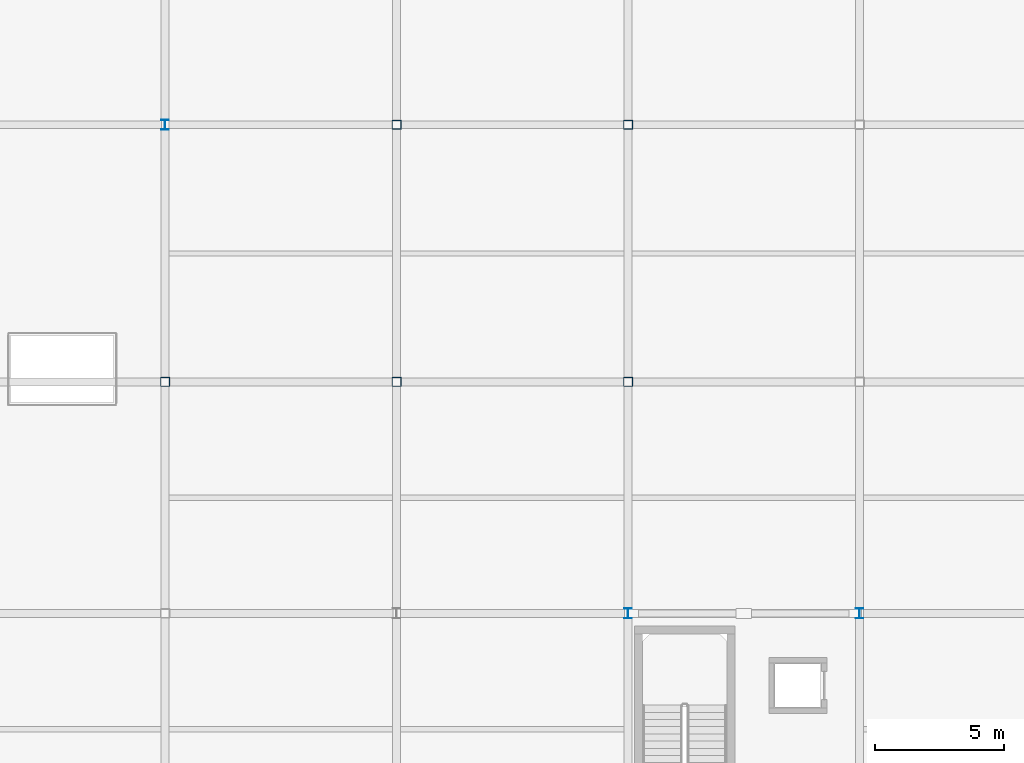
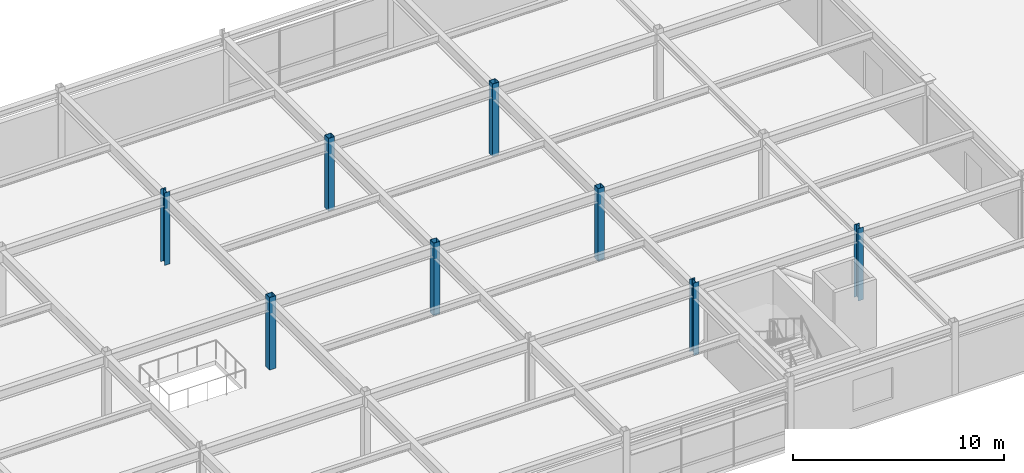
# One storey, part 8 of 53: 8 columns.
"""IFC4 building model written with IfcOpenShell, lengths in metres."""

import ifcopenshell
import ifcopenshell.guid

model = None  # the IFC model being written
_history = None  # IfcOwnerHistory: only IFC2X3 demands one
_inside = {}  # id of a spatial element -> (the spatial element, [elements in it])
_under = {}  # id of a project, library or spatial element -> (it, [spatial elements below it])
_declared = {}  # id of a project -> (the project, [libraries it declares])
_typed = {}  # id of a type object -> (the type object, [elements of that type])
_made_of = {}  # id of a material, layer set ... -> (it, [elements and type objects made of it])


def new_model(schema):
    """Start an empty IFC model of exactly this schema.

    Asked for "IFC4X3", IfcOpenShell would pick the latest addendum, in which some entities
    have other attributes; the version numbers below select the first issue.
    IFC2X3 requires an IfcOwnerHistory on every rooted entity: one is made here for all.
    """
    global model, _history
    if schema == "IFC4X3":
        model = ifcopenshell.file(schema_version=(4, 3, 0, 0))
    else:
        model = ifcopenshell.file(schema=schema)
    _inside.clear()
    _under.clear()
    _declared.clear()
    _typed.clear()
    _made_of.clear()
    _history = None
    if model.schema == "IFC2X3":
        org = make("IfcOrganization", Name="unknown")
        user = make(
            "IfcPersonAndOrganization",
            ThePerson=make("IfcPerson", FamilyName="unknown"),
            TheOrganization=org,
        )
        app = make(
            "IfcApplication",
            ApplicationDeveloper=org,
            Version="unknown",
            ApplicationFullName="unknown",
            ApplicationIdentifier="unknown",
        )
        _history = make(
            "IfcOwnerHistory",
            OwningUser=user,
            OwningApplication=app,
            ChangeAction="ADDED",
            CreationDate=0,
        )
    return model


def make(cls, **values):
    """One entity of the class cls with the attributes given. An attribute that is None is left unset."""
    return model.create_entity(
        cls, **{name: value for name, value in values.items() if value is not None}
    )


def rooted(cls, **values):
    """An entity with a GlobalId (a new one), such as an element, a storey or a relation."""
    return make(cls, GlobalId=ifcopenshell.guid.new(), OwnerHistory=_history, **values)


def si_unit(unit_type, name, prefix=None):
    """IfcSIUnit, for example si_unit("LENGTHUNIT", "METRE", prefix="MILLI")."""
    return make("IfcSIUnit", UnitType=unit_type, Prefix=prefix, Name=name)


def assignment(units):
    """IfcUnitAssignment: the units of a project."""
    return None if units is None else make("IfcUnitAssignment", Units=units)


def point(xyz):
    """IfcCartesianPoint."""
    return None if xyz is None else make("IfcCartesianPoint", Coordinates=xyz)


def direction(xyz):
    """IfcDirection."""
    return None if xyz is None else make("IfcDirection", DirectionRatios=xyz)


def frame(location, z_axis=None, x_axis=None):
    """IfcAxis2Placement3D, a coordinate frame: its origin and axes. An axis left out is left unset."""
    return make(
        "IfcAxis2Placement3D",
        Location=point(location),
        Axis=direction(z_axis),
        RefDirection=direction(x_axis),
    )


def frame_2d(location, x_axis=None):
    """IfcAxis2Placement2D, a coordinate frame in the plane: its origin and x axis."""
    return make(
        "IfcAxis2Placement2D", Location=point(location), RefDirection=direction(x_axis)
    )


def origin():
    """The frame at (0, 0, 0) with its axes left unset."""
    return frame((0.0, 0.0, 0.0))


def origin_2d():
    """The frame at (0, 0) in the plane with its x axis left unset."""
    return frame_2d((0.0, 0.0))


def place(relative_to, where):
    """IfcLocalPlacement: puts the frame where relative to a parent placement (None: the world)."""
    return make(
        "IfcLocalPlacement", PlacementRelTo=relative_to, RelativePlacement=where
    )


def context(
    kind, dimensions, precision=None, world=None, true_north=None, identifier=None
):
    """IfcGeometricRepresentationContext, for example the 3D "Model" context."""
    return make(
        "IfcGeometricRepresentationContext",
        ContextIdentifier=identifier,
        ContextType=kind,
        CoordinateSpaceDimension=dimensions,
        Precision=precision,
        WorldCoordinateSystem=world,
        TrueNorth=true_north,
    )


def subcontext(parent, identifier, kind, view, scale=None):
    """IfcGeometricRepresentationSubContext, for example "Body" below "Model"."""
    return make(
        "IfcGeometricRepresentationSubContext",
        ContextIdentifier=identifier,
        ContextType=kind,
        ParentContext=parent,
        TargetScale=scale,
        TargetView=view,
    )


def project(units=None, contexts=None):
    """IfcProject with its units and contexts."""
    return rooted(
        "IfcProject",
        Name="project",
        RepresentationContexts=contexts,
        UnitsInContext=assignment(units),
    )


def spatial(cls, under=None, at=None, **own):
    """A site, building, storey or space (cls), placed at a placement, below another one or the project."""
    s = rooted(cls, ObjectPlacement=at, **own)
    if under is not None:
        _under.setdefault(under.id(), (under, []))[1].append(s)
    return s


def profile(cls, at=None, kind="AREA", **sizes):
    """A parametric profile (cls). Its sizes go by their IFC names, for example OverallWidth=200.0."""
    return make(cls, ProfileType=kind, Position=at, **sizes)


def hollow_rectangle(**sizes):
    """IfcRectangleHollowProfileDef."""
    return profile("IfcRectangleHollowProfileDef", **sizes)


def i_section(**sizes):
    """IfcIShapeProfileDef."""
    return profile("IfcIShapeProfileDef", **sizes)


def extrude(swept, where, along, depth):
    """IfcExtrudedAreaSolid: the profile swept, set in the frame where, extruded along a direction by depth."""
    return make(
        "IfcExtrudedAreaSolid",
        SweptArea=swept,
        Position=where,
        ExtrudedDirection=direction(along),
        Depth=depth,
    )


def shape(context_of_items, identifier, shape_type, items):
    """IfcShapeRepresentation: the items that make up one representation, for example the "Body"."""
    return make(
        "IfcShapeRepresentation",
        ContextOfItems=context_of_items,
        RepresentationIdentifier=identifier,
        RepresentationType=shape_type,
        Items=items,
    )


def material(Name=None, Category=None):
    """IfcMaterial."""
    return make("IfcMaterial", Name=Name, Category=Category)


def material_profile(
    of_material, cross_section, Name=None, Category=None, Priority=None
):
    """IfcMaterialProfile: a cross section and its material."""
    return make(
        "IfcMaterialProfile",
        Name=Name,
        Material=of_material,
        Profile=cross_section,
        Priority=Priority,
        Category=Category,
    )


def profile_set(profiles, Name=None, composite=None):
    """IfcMaterialProfileSet."""
    return make(
        "IfcMaterialProfileSet",
        Name=Name,
        MaterialProfiles=profiles,
        CompositeProfile=composite,
    )


def made_of(thing, what):
    """Note that an element or type object is made of a material, layer set ...; save() writes the relation."""
    if what is not None:
        _made_of.setdefault(what.id(), (what, []))[1].append(thing)
    return thing


def type_object(cls, material=None, **own):
    """A type object (cls), such as IfcWallType, which elements share."""
    return made_of(rooted(cls, **own), material)


def element(
    cls,
    number,
    at=None,
    inside=None,
    cuts=None,
    type_object=None,
    material=None,
    context=None,
    identifier="Body",
    shape_type=None,
    held_by="IfcProductDefinitionShape",
    body=None,
    shapes=None,
    **own,
):
    """One element of the class cls, such as IfcWall. Its Tag is "e" and its number.

    at: its placement. inside: the storey or other place that contains it. cuts: it is an
    opening in that element (IfcRelVoidsElement). A single representation is given by context,
    identifier, shape_type and body (its items); several are given by shapes. held_by: the class
    of the entity that holds the representations. save() writes the other relations.
    """
    e = rooted(cls, Tag="e%d" % number, ObjectPlacement=at, **own)
    if body is not None:
        shapes = [shape(context, identifier, shape_type, body)]
    if shapes is not None:
        e.Representation = make(held_by, Representations=shapes)
    if inside is not None:
        _inside.setdefault(inside.id(), (inside, []))[1].append(e)
    if cuts is not None:
        rooted(
            "IfcRelVoidsElement", RelatingBuildingElement=cuts, RelatedOpeningElement=e
        )
    if type_object is not None:
        _typed.setdefault(type_object.id(), (type_object, []))[1].append(e)
    return made_of(e, material)


def aggregate(whole, parts):
    """IfcRelAggregates: a whole, such as a stair, and the parts it consists of."""
    return rooted("IfcRelAggregates", RelatingObject=whole, RelatedObjects=parts)


def save(model, path):
    """Write the relations noted so far, then the file.

    IfcRelAggregates (storeys below a building ...), IfcRelContainedInSpatialStructure (elements
    in a storey), IfcRelDefinesByType, IfcRelAssociatesMaterial and IfcRelDeclares: one each for
    every whole, place, type object, material and project.
    """
    for whole, parts in _under.values():
        aggregate(whole, parts)
    for where, things in _inside.values():
        rooted(
            "IfcRelContainedInSpatialStructure",
            RelatedElements=things,
            RelatingStructure=where,
        )
    for kind, things in _typed.values():
        rooted("IfcRelDefinesByType", RelatedObjects=things, RelatingType=kind)
    for what, things in _made_of.values():
        rooted("IfcRelAssociatesMaterial", RelatedObjects=things, RelatingMaterial=what)
    for by, libraries in _declared.values():
        rooted("IfcRelDeclares", RelatingContext=by, RelatedDefinitions=libraries)
    model.write(path)


model = new_model("IFC4")

# Units and contexts
model_context = context("Model", 3, precision=1e-05, world=origin(), true_north=direction((0.0, 1.0)))
body_context = subcontext(model_context, "Body", "Model", "MODEL_VIEW")
ifc_project = project(units=[si_unit("LENGTHUNIT", "METRE"), si_unit("AREAUNIT", "SQUARE_METRE"), si_unit("VOLUMEUNIT", "CUBIC_METRE"), si_unit("PLANEANGLEUNIT", "RADIAN"), si_unit("MASSUNIT", "GRAM", prefix="KILO")], contexts=[model_context])

# Site, building, storey
site_placement = place(None, origin())
site = spatial("IfcSite", under=ifc_project, at=site_placement, CompositionType="ELEMENT")
building_placement = place(site_placement, origin())
building = spatial("IfcBuilding", under=site, at=building_placement, Name="Suzunagisa Mobility Hub", CompositionType="ELEMENT")
storey_placement = place(building_placement, frame((0.0, 0.0, 17.699951171875)))
storey = spatial("IfcBuildingStorey", under=building, at=storey_placement, Name="L04", CompositionType="ELEMENT", Elevation=17.699951171875)

# Columns
ifc_material = material(Name="Steel SN490B", Category="steel")
ifc_material_profile_1 = material_profile(ifc_material, hollow_rectangle(XDim=0.35009765625, YDim=0.35009765625, WallThickness=0.01611328125, at=origin_2d()), Name="BCR-350x350x16")
ifc_profile_set_1 = profile_set([ifc_material_profile_1], Name="Steel SN490B")
column_type_1 = type_object("IfcColumnType", Name="Steel Column CL-04 BCR-350x350x16", PredefinedType="COLUMN", material=ifc_profile_set_1)
for number, where, z_axis, x_axis, name in (
    (1, (72.0, 98.0, 0.0), (0.0, 0.0, 1.0), (1.0, 0.0, 0.0), "L04 Column 156"),
    (2, (81.0, 98.0, 0.0), (0.0, 0.0, 1.0), (1.0, 0.0, 0.0), "L04 Column 173"),
    (3, (81.0, 108.0, 0.0), (0.0, 0.0, 1.0), (1.0, 0.0, 0.0), "L04 Column 174"),
    (4, (90.0, 98.0, 0.0), (0.0, 0.0, 1.0), (1.0, 0.0, 0.0), "L04 Column 188"),
    (5, (90.0, 108.0, 0.0), (0.0, 0.0, 1.0), (1.0, 0.0, 0.0), "L04 Column 189"),
):
    element("IfcColumn", number, at=place(storey_placement, frame(where, z_axis=z_axis, x_axis=x_axis)), inside=storey, type_object=column_type_1, Name=name, PredefinedType="COLUMN", context=body_context, shape_type="SweptSolid", body=[
        extrude(hollow_rectangle(XDim=0.35009765625, YDim=0.35009765625, WallThickness=0.01611328125, at=origin_2d()), origin(), (0.0, 0.0, 1.0), 4.199951171875),
    ])
ifc_material_profile_2 = material_profile(ifc_material, i_section(OverallWidth=0.300048828125, OverallDepth=0.389892578125, WebThickness=0.010009765625, FlangeThickness=0.01611328125, FilletRadius=0.012939453125, at=origin_2d()), Name="H-390x300x10x16")
ifc_profile_set_2 = profile_set([ifc_material_profile_2], Name="Steel SN490B")
column_type_2 = type_object("IfcColumnType", Name="Steel Column CL-07 H-390x300x10x16", PredefinedType="COLUMN", material=ifc_profile_set_2)
for number, where, z_axis, x_axis, name in (
    (6, (72.0, 108.0, 0.0), (0.0, 0.0, 1.0), (1.0, 0.0, 0.0), "L04 Column 157"),
    (7, (90.0, 89.0, 0.0), (0.0, 0.0, 1.0), (1.0, 0.0, 0.0), "L04 Column 187"),
    (8, (99.0, 89.0, 0.0), (0.0, 0.0, 1.0), (1.0, 0.0, 0.0), "L04 Column 196"),
):
    element("IfcColumn", number, at=place(storey_placement, frame(where, z_axis=z_axis, x_axis=x_axis)), inside=storey, type_object=column_type_2, Name=name, PredefinedType="COLUMN", context=body_context, shape_type="SweptSolid", body=[
        extrude(i_section(OverallWidth=0.300048828125, OverallDepth=0.389892578125, WebThickness=0.010009765625, FlangeThickness=0.01611328125, FilletRadius=0.012939453125, at=origin_2d()), origin(), (0.0, 0.0, 1.0), 4.199951171875),
    ])

save(model, "model.ifc")
